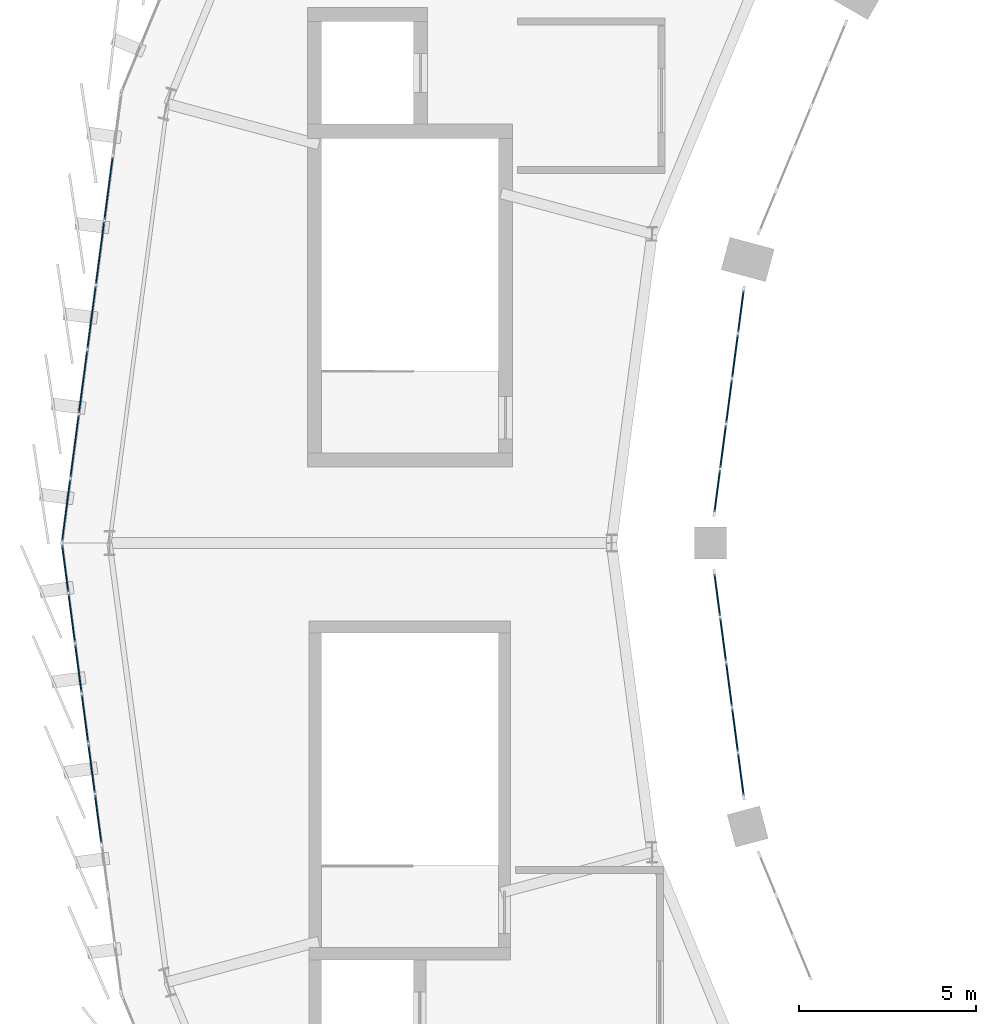
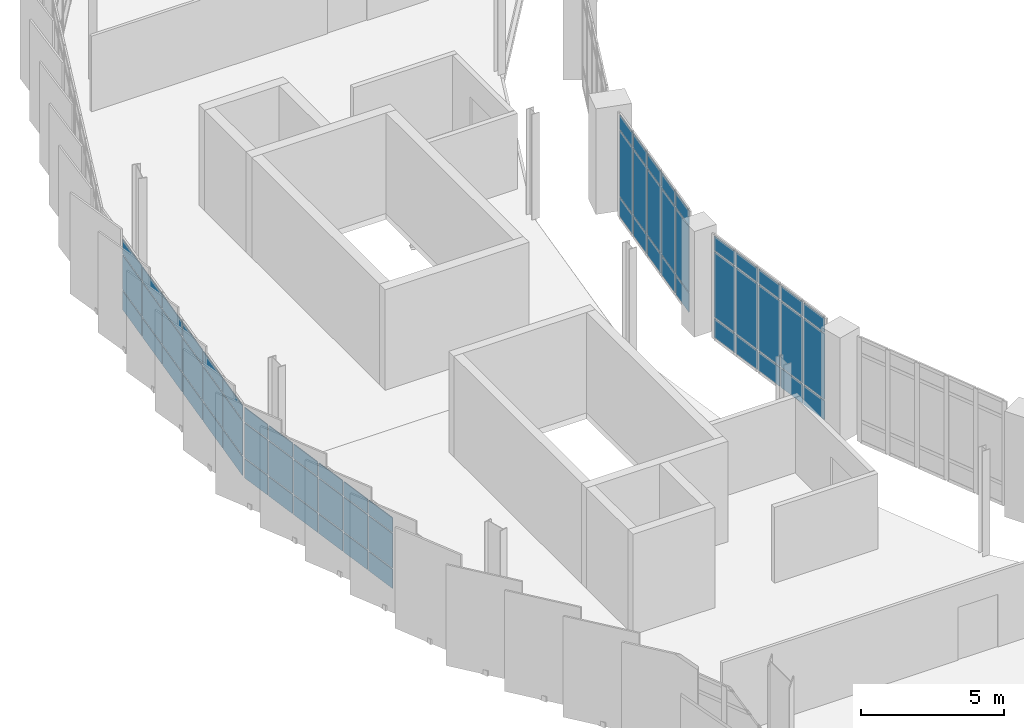
# One storey, part 52 of 67: 66 plates, 4 elements without a shape of their own.
"""IFC4 building model written with IfcOpenShell, lengths in metres."""

import ifcopenshell
import ifcopenshell.guid

model = None  # the IFC model being written
_history = None  # IfcOwnerHistory: only IFC2X3 demands one
_inside = {}  # id of a spatial element -> (the spatial element, [elements in it])
_under = {}  # id of a project, library or spatial element -> (it, [spatial elements below it])
_declared = {}  # id of a project -> (the project, [libraries it declares])
_typed = {}  # id of a type object -> (the type object, [elements of that type])
_made_of = {}  # id of a material, layer set ... -> (it, [elements and type objects made of it])


def new_model(schema):
    """Start an empty IFC model of exactly this schema.

    Asked for "IFC4X3", IfcOpenShell would pick the latest addendum, in which some entities
    have other attributes; the version numbers below select the first issue.
    IFC2X3 requires an IfcOwnerHistory on every rooted entity: one is made here for all.
    """
    global model, _history
    if schema == "IFC4X3":
        model = ifcopenshell.file(schema_version=(4, 3, 0, 0))
    else:
        model = ifcopenshell.file(schema=schema)
    _inside.clear()
    _under.clear()
    _declared.clear()
    _typed.clear()
    _made_of.clear()
    _history = None
    if model.schema == "IFC2X3":
        org = make("IfcOrganization", Name="unknown")
        user = make(
            "IfcPersonAndOrganization",
            ThePerson=make("IfcPerson", FamilyName="unknown"),
            TheOrganization=org,
        )
        app = make(
            "IfcApplication",
            ApplicationDeveloper=org,
            Version="unknown",
            ApplicationFullName="unknown",
            ApplicationIdentifier="unknown",
        )
        _history = make(
            "IfcOwnerHistory",
            OwningUser=user,
            OwningApplication=app,
            ChangeAction="ADDED",
            CreationDate=0,
        )
    return model


def make(cls, **values):
    """One entity of the class cls with the attributes given. An attribute that is None is left unset."""
    return model.create_entity(
        cls, **{name: value for name, value in values.items() if value is not None}
    )


def rooted(cls, **values):
    """An entity with a GlobalId (a new one), such as an element, a storey or a relation."""
    return make(cls, GlobalId=ifcopenshell.guid.new(), OwnerHistory=_history, **values)


def si_unit(unit_type, name, prefix=None):
    """IfcSIUnit, for example si_unit("LENGTHUNIT", "METRE", prefix="MILLI")."""
    return make("IfcSIUnit", UnitType=unit_type, Prefix=prefix, Name=name)


def assignment(units):
    """IfcUnitAssignment: the units of a project."""
    return None if units is None else make("IfcUnitAssignment", Units=units)


def point(xyz):
    """IfcCartesianPoint."""
    return None if xyz is None else make("IfcCartesianPoint", Coordinates=xyz)


def direction(xyz):
    """IfcDirection."""
    return None if xyz is None else make("IfcDirection", DirectionRatios=xyz)


def frame(location, z_axis=None, x_axis=None):
    """IfcAxis2Placement3D, a coordinate frame: its origin and axes. An axis left out is left unset."""
    return make(
        "IfcAxis2Placement3D",
        Location=point(location),
        Axis=direction(z_axis),
        RefDirection=direction(x_axis),
    )


def frame_2d(location, x_axis=None):
    """IfcAxis2Placement2D, a coordinate frame in the plane: its origin and x axis."""
    return make(
        "IfcAxis2Placement2D", Location=point(location), RefDirection=direction(x_axis)
    )


def origin():
    """The frame at (0, 0, 0) with its axes left unset."""
    return frame((0.0, 0.0, 0.0))


def origin_2d():
    """The frame at (0, 0) in the plane with its x axis left unset."""
    return frame_2d((0.0, 0.0))


def place(relative_to, where):
    """IfcLocalPlacement: puts the frame where relative to a parent placement (None: the world)."""
    return make(
        "IfcLocalPlacement", PlacementRelTo=relative_to, RelativePlacement=where
    )


def context(
    kind, dimensions, precision=None, world=None, true_north=None, identifier=None
):
    """IfcGeometricRepresentationContext, for example the 3D "Model" context."""
    return make(
        "IfcGeometricRepresentationContext",
        ContextIdentifier=identifier,
        ContextType=kind,
        CoordinateSpaceDimension=dimensions,
        Precision=precision,
        WorldCoordinateSystem=world,
        TrueNorth=true_north,
    )


def subcontext(parent, identifier, kind, view, scale=None):
    """IfcGeometricRepresentationSubContext, for example "Body" below "Model"."""
    return make(
        "IfcGeometricRepresentationSubContext",
        ContextIdentifier=identifier,
        ContextType=kind,
        ParentContext=parent,
        TargetScale=scale,
        TargetView=view,
    )


def project(units=None, contexts=None):
    """IfcProject with its units and contexts."""
    return rooted(
        "IfcProject",
        Name="project",
        RepresentationContexts=contexts,
        UnitsInContext=assignment(units),
    )


def spatial(cls, under=None, at=None, **own):
    """A site, building, storey or space (cls), placed at a placement, below another one or the project."""
    s = rooted(cls, ObjectPlacement=at, **own)
    if under is not None:
        _under.setdefault(under.id(), (under, []))[1].append(s)
    return s


def profile(cls, at=None, kind="AREA", **sizes):
    """A parametric profile (cls). Its sizes go by their IFC names, for example OverallWidth=200.0."""
    return make(cls, ProfileType=kind, Position=at, **sizes)


def rectangle(**sizes):
    """IfcRectangleProfileDef."""
    return profile("IfcRectangleProfileDef", **sizes)


def extrude(swept, where, along, depth):
    """IfcExtrudedAreaSolid: the profile swept, set in the frame where, extruded along a direction by depth."""
    return make(
        "IfcExtrudedAreaSolid",
        SweptArea=swept,
        Position=where,
        ExtrudedDirection=direction(along),
        Depth=depth,
    )


def shape(context_of_items, identifier, shape_type, items):
    """IfcShapeRepresentation: the items that make up one representation, for example the "Body"."""
    return make(
        "IfcShapeRepresentation",
        ContextOfItems=context_of_items,
        RepresentationIdentifier=identifier,
        RepresentationType=shape_type,
        Items=items,
    )


def material(Name=None, Category=None):
    """IfcMaterial."""
    return make("IfcMaterial", Name=Name, Category=Category)


def layer(
    of_material, thickness, ventilated=None, Name=None, Category=None, Priority=None
):
    """IfcMaterialLayer: one layer of a wall or slab, of a material (None: an air gap)."""
    return make(
        "IfcMaterialLayer",
        Material=of_material,
        LayerThickness=thickness,
        IsVentilated=ventilated,
        Name=Name,
        Category=Category,
        Priority=Priority,
    )


def layer_set(layers, Name=None):
    """IfcMaterialLayerSet."""
    return make("IfcMaterialLayerSet", MaterialLayers=layers, LayerSetName=Name)


def made_of(thing, what):
    """Note that an element or type object is made of a material, layer set ...; save() writes the relation."""
    if what is not None:
        _made_of.setdefault(what.id(), (what, []))[1].append(thing)
    return thing


def type_object(cls, material=None, **own):
    """A type object (cls), such as IfcWallType, which elements share."""
    return made_of(rooted(cls, **own), material)


def element(
    cls,
    number,
    at=None,
    inside=None,
    cuts=None,
    type_object=None,
    material=None,
    context=None,
    identifier="Body",
    shape_type=None,
    held_by="IfcProductDefinitionShape",
    body=None,
    shapes=None,
    **own,
):
    """One element of the class cls, such as IfcWall. Its Tag is "e" and its number.

    at: its placement. inside: the storey or other place that contains it. cuts: it is an
    opening in that element (IfcRelVoidsElement). A single representation is given by context,
    identifier, shape_type and body (its items); several are given by shapes. held_by: the class
    of the entity that holds the representations. save() writes the other relations.
    """
    e = rooted(cls, Tag="e%d" % number, ObjectPlacement=at, **own)
    if body is not None:
        shapes = [shape(context, identifier, shape_type, body)]
    if shapes is not None:
        e.Representation = make(held_by, Representations=shapes)
    if inside is not None:
        _inside.setdefault(inside.id(), (inside, []))[1].append(e)
    if cuts is not None:
        rooted(
            "IfcRelVoidsElement", RelatingBuildingElement=cuts, RelatedOpeningElement=e
        )
    if type_object is not None:
        _typed.setdefault(type_object.id(), (type_object, []))[1].append(e)
    return made_of(e, material)


def aggregate(whole, parts):
    """IfcRelAggregates: a whole, such as a stair, and the parts it consists of."""
    return rooted("IfcRelAggregates", RelatingObject=whole, RelatedObjects=parts)


def save(model, path):
    """Write the relations noted so far, then the file.

    IfcRelAggregates (storeys below a building ...), IfcRelContainedInSpatialStructure (elements
    in a storey), IfcRelDefinesByType, IfcRelAssociatesMaterial and IfcRelDeclares: one each for
    every whole, place, type object, material and project.
    """
    for whole, parts in _under.values():
        aggregate(whole, parts)
    for where, things in _inside.values():
        rooted(
            "IfcRelContainedInSpatialStructure",
            RelatedElements=things,
            RelatingStructure=where,
        )
    for kind, things in _typed.values():
        rooted("IfcRelDefinesByType", RelatedObjects=things, RelatingType=kind)
    for what, things in _made_of.values():
        rooted("IfcRelAssociatesMaterial", RelatedObjects=things, RelatingMaterial=what)
    for by, libraries in _declared.values():
        rooted("IfcRelDeclares", RelatingContext=by, RelatedDefinitions=libraries)
    model.write(path)


model = new_model("IFC4")

# Units and contexts
model_context = context("Model", 3, precision=1e-05, world=origin(), true_north=direction((0.0, 1.0)))
body_context = subcontext(model_context, "Body", "Model", "MODEL_VIEW")
ifc_project = project(units=[si_unit("LENGTHUNIT", "METRE"), si_unit("AREAUNIT", "SQUARE_METRE"), si_unit("VOLUMEUNIT", "CUBIC_METRE"), si_unit("PLANEANGLEUNIT", "RADIAN"), si_unit("MASSUNIT", "GRAM", prefix="KILO")], contexts=[model_context])

# Site, building, storey
site_placement = place(None, origin())
site = spatial("IfcSite", under=ifc_project, at=site_placement, CompositionType="ELEMENT")
building_placement = place(site_placement, origin())
building = spatial("IfcBuilding", under=site, at=building_placement, Name="Sohan Crest Arena", CompositionType="ELEMENT")
storey_placement = place(building_placement, frame((0.0, 0.0, 22.5)))
storey = spatial("IfcBuildingStorey", under=building, at=storey_placement, Name="L05", CompositionType="ELEMENT", Elevation=22.5)

# Curtain wall, plates
ifc_material_1 = material(Name="Thermally broken anodised aluminium", Category="aluminium")
ifc_layer_1 = layer(ifc_material_1, 0.2099609375, Name="Thermally broken anodised aluminium")
ifc_layer_set_1 = layer_set([ifc_layer_1], Name="Thermally broken anodised aluminium")
curtain_wall_type_1 = type_object("IfcCurtainWallType", Name="ARC-CW06", PredefinedType="NOTDEFINED", material=ifc_layer_set_1)
curtain_wall_1_placement = place(storey_placement, origin())
curtain_wall_1 = element("IfcCurtainWall", 1, at=curtain_wall_1_placement, inside=storey, type_object=curtain_wall_type_1, Name="Unitised curtain wall CW-151", PredefinedType="NOTDEFINED")
ifc_material_2 = material(Name="Low-E double-glazed insulated glass", Category="glass")
ifc_layer_2 = layer(ifc_material_2, 0.031982421875, Name="Low-E double-glazed insulated glass")
ifc_layer_set_2 = layer_set([ifc_layer_2], Name="Low-E double-glazed insulated glass")
plate_type_1 = type_object("IfcPlateType", Name="ARC-CNP02", PredefinedType="CURTAIN_PANEL", material=ifc_layer_set_2)
plate_1_placement = place(storey_placement, frame((49.9716796875, 88.035888671875, 0.070068359375), z_axis=(0.0, 0.0, 1.0), x_axis=(-0.130556913275, -0.991440816386, 0.0)))
plate_1 = element("IfcPlate", 2, at=plate_1_placement, type_object=plate_type_1, Name="CW-151 panel 2.1", PredefinedType="CURTAIN_PANEL", context=body_context, shape_type="SweptSolid", body=[
    extrude(rectangle(XDim=1.775390625, YDim=0.031982421875, at=origin_2d()), origin(), (0.0, 0.0, 1.0), 0.794921875),
])
plate_2_placement = place(storey_placement, frame((49.9716796875, 88.035888671875, 0.93505859375), z_axis=(0.0, 0.0, 1.0), x_axis=(-0.130556913275, -0.991440816386, 0.0)))
plate_2 = element("IfcPlate", 3, at=plate_2_placement, type_object=plate_type_1, Name="CW-151 panel 2.2", PredefinedType="CURTAIN_PANEL", context=body_context, shape_type="SweptSolid", body=[
    extrude(rectangle(XDim=1.775390625, YDim=0.031982421875, at=origin_2d()), origin(), (0.0, 0.0, 1.0), 1.449951171875),
])
plate_3_placement = place(storey_placement, frame((49.9716796875, 88.035888671875, 2.455078125), z_axis=(0.0, 0.0, 1.0), x_axis=(-0.130556913275, -0.991440816386, 0.0)))
plate_3 = element("IfcPlate", 4, at=plate_3_placement, type_object=plate_type_1, Name="CW-151 panel 2.3", PredefinedType="CURTAIN_PANEL", context=body_context, shape_type="SweptSolid", body=[
    extrude(rectangle(XDim=1.775390625, YDim=0.031982421875, at=origin_2d()), origin(), (0.0, 0.0, 1.0), 0.594970703125),
])
plate_4_placement = place(storey_placement, frame((49.731201171875, 86.211181640625, 0.070068359375), z_axis=(0.0, 0.0, 1.0), x_axis=(-0.130556913275, -0.991440816386, 0.0)))
plate_4 = element("IfcPlate", 5, at=plate_4_placement, type_object=plate_type_1, Name="CW-151 panel 3.1", PredefinedType="CURTAIN_PANEL", context=body_context, shape_type="SweptSolid", body=[
    extrude(rectangle(XDim=1.775390625, YDim=0.031982421875, at=origin_2d()), origin(), (0.0, 0.0, 1.0), 0.794921875),
])
plate_5_placement = place(storey_placement, frame((49.731201171875, 86.211181640625, 0.93505859375), z_axis=(0.0, 0.0, 1.0), x_axis=(-0.130556913275, -0.991440816386, 0.0)))
plate_5 = element("IfcPlate", 6, at=plate_5_placement, type_object=plate_type_1, Name="CW-151 panel 3.2", PredefinedType="CURTAIN_PANEL", context=body_context, shape_type="SweptSolid", body=[
    extrude(rectangle(XDim=1.775390625, YDim=0.031982421875, at=origin_2d()), origin(), (0.0, 0.0, 1.0), 1.449951171875),
])
plate_6_placement = place(storey_placement, frame((49.731201171875, 86.211181640625, 2.455078125), z_axis=(0.0, 0.0, 1.0), x_axis=(-0.130556913275, -0.991440816386, 0.0)))
plate_6 = element("IfcPlate", 7, at=plate_6_placement, type_object=plate_type_1, Name="CW-151 panel 3.3", PredefinedType="CURTAIN_PANEL", context=body_context, shape_type="SweptSolid", body=[
    extrude(rectangle(XDim=1.775390625, YDim=0.031982421875, at=origin_2d()), origin(), (0.0, 0.0, 1.0), 0.594970703125),
])
plate_7_placement = place(storey_placement, frame((49.490966796875, 84.386474609375, 0.070068359375), z_axis=(0.0, 0.0, 1.0), x_axis=(-0.130556913275, -0.991440816386, 0.0)))
plate_7 = element("IfcPlate", 8, at=plate_7_placement, type_object=plate_type_1, Name="CW-151 panel 4.1", PredefinedType="CURTAIN_PANEL", context=body_context, shape_type="SweptSolid", body=[
    extrude(rectangle(XDim=1.775390625, YDim=0.031982421875, at=origin_2d()), origin(), (0.0, 0.0, 1.0), 0.794921875),
])
plate_8_placement = place(storey_placement, frame((49.490966796875, 84.386474609375, 0.93505859375), z_axis=(0.0, 0.0, 1.0), x_axis=(-0.130556913275, -0.991440816386, 0.0)))
plate_8 = element("IfcPlate", 9, at=plate_8_placement, type_object=plate_type_1, Name="CW-151 panel 4.2", PredefinedType="CURTAIN_PANEL", context=body_context, shape_type="SweptSolid", body=[
    extrude(rectangle(XDim=1.775390625, YDim=0.031982421875, at=origin_2d()), origin(), (0.0, 0.0, 1.0), 1.449951171875),
])
plate_9_placement = place(storey_placement, frame((49.490966796875, 84.386474609375, 2.455078125), z_axis=(0.0, 0.0, 1.0), x_axis=(-0.130556913275, -0.991440816386, 0.0)))
plate_9 = element("IfcPlate", 10, at=plate_9_placement, type_object=plate_type_1, Name="CW-151 panel 4.3", PredefinedType="CURTAIN_PANEL", context=body_context, shape_type="SweptSolid", body=[
    extrude(rectangle(XDim=1.775390625, YDim=0.031982421875, at=origin_2d()), origin(), (0.0, 0.0, 1.0), 0.594970703125),
])
plate_10_placement = place(storey_placement, frame((49.250732421875, 82.561767578125, 0.070068359375), z_axis=(0.0, 0.0, 1.0), x_axis=(-0.130556913275, -0.991440816386, 0.0)))
plate_10 = element("IfcPlate", 11, at=plate_10_placement, type_object=plate_type_1, Name="CW-151 panel 5.1", PredefinedType="CURTAIN_PANEL", context=body_context, shape_type="SweptSolid", body=[
    extrude(rectangle(XDim=1.775390625, YDim=0.031982421875, at=origin_2d()), origin(), (0.0, 0.0, 1.0), 0.794921875),
])
plate_11_placement = place(storey_placement, frame((49.250732421875, 82.561767578125, 0.93505859375), z_axis=(0.0, 0.0, 1.0), x_axis=(-0.130556913275, -0.991440816386, 0.0)))
plate_11 = element("IfcPlate", 12, at=plate_11_placement, type_object=plate_type_1, Name="CW-151 panel 5.2", PredefinedType="CURTAIN_PANEL", context=body_context, shape_type="SweptSolid", body=[
    extrude(rectangle(XDim=1.775390625, YDim=0.031982421875, at=origin_2d()), origin(), (0.0, 0.0, 1.0), 1.449951171875),
])
plate_12_placement = place(storey_placement, frame((49.250732421875, 82.561767578125, 2.455078125), z_axis=(0.0, 0.0, 1.0), x_axis=(-0.130556913275, -0.991440816386, 0.0)))
plate_12 = element("IfcPlate", 13, at=plate_12_placement, type_object=plate_type_1, Name="CW-151 panel 5.3", PredefinedType="CURTAIN_PANEL", context=body_context, shape_type="SweptSolid", body=[
    extrude(rectangle(XDim=1.775390625, YDim=0.031982421875, at=origin_2d()), origin(), (0.0, 0.0, 1.0), 0.594970703125),
])
plate_13_placement = place(storey_placement, frame((49.010498046875, 80.737060546875, 0.070068359375), z_axis=(0.0, 0.0, 1.0), x_axis=(-0.130556913275, -0.991440816386, 0.0)))
plate_13 = element("IfcPlate", 14, at=plate_13_placement, type_object=plate_type_1, Name="CW-151 panel 6.1", PredefinedType="CURTAIN_PANEL", context=body_context, shape_type="SweptSolid", body=[
    extrude(rectangle(XDim=1.775390625, YDim=0.031982421875, at=origin_2d()), origin(), (0.0, 0.0, 1.0), 0.794921875),
])
plate_14_placement = place(storey_placement, frame((49.010498046875, 80.737060546875, 0.93505859375), z_axis=(0.0, 0.0, 1.0), x_axis=(-0.130556913275, -0.991440816386, 0.0)))
plate_14 = element("IfcPlate", 15, at=plate_14_placement, type_object=plate_type_1, Name="CW-151 panel 6.2", PredefinedType="CURTAIN_PANEL", context=body_context, shape_type="SweptSolid", body=[
    extrude(rectangle(XDim=1.775390625, YDim=0.031982421875, at=origin_2d()), origin(), (0.0, 0.0, 1.0), 1.449951171875),
])
plate_15_placement = place(storey_placement, frame((49.010498046875, 80.737060546875, 2.455078125), z_axis=(0.0, 0.0, 1.0), x_axis=(-0.130556913275, -0.991440816386, 0.0)))
plate_15 = element("IfcPlate", 16, at=plate_15_placement, type_object=plate_type_1, Name="CW-151 panel 6.3", PredefinedType="CURTAIN_PANEL", context=body_context, shape_type="SweptSolid", body=[
    extrude(rectangle(XDim=1.775390625, YDim=0.031982421875, at=origin_2d()), origin(), (0.0, 0.0, 1.0), 0.594970703125),
])
plate_16_placement = place(storey_placement, frame((48.772216796875, 78.928466796875, 0.070068359375), z_axis=(0.0, 0.0, 1.0), x_axis=(-0.130556913275, -0.991440816386, 0.0)))
plate_16 = element("IfcPlate", 17, at=plate_16_placement, type_object=plate_type_1, Name="CW-151 panel 7.1", PredefinedType="CURTAIN_PANEL", context=body_context, shape_type="SweptSolid", body=[
    extrude(rectangle(XDim=1.742919921875, YDim=0.031982421875, at=origin_2d()), origin(), (0.0, 0.0, 1.0), 0.794921875),
])
plate_17_placement = place(storey_placement, frame((48.772216796875, 78.928466796875, 0.93505859375), z_axis=(0.0, 0.0, 1.0), x_axis=(-0.130556913275, -0.991440816386, 0.0)))
plate_17 = element("IfcPlate", 18, at=plate_17_placement, type_object=plate_type_1, Name="CW-151 panel 7.2", PredefinedType="CURTAIN_PANEL", context=body_context, shape_type="SweptSolid", body=[
    extrude(rectangle(XDim=1.742919921875, YDim=0.031982421875, at=origin_2d()), origin(), (0.0, 0.0, 1.0), 1.449951171875),
])
plate_18_placement = place(storey_placement, frame((48.772216796875, 78.928466796875, 2.455078125), z_axis=(0.0, 0.0, 1.0), x_axis=(-0.130556913275, -0.991440816386, 0.0)))
plate_18 = element("IfcPlate", 19, at=plate_18_placement, type_object=plate_type_1, Name="CW-151 panel 7.3", PredefinedType="CURTAIN_PANEL", context=body_context, shape_type="SweptSolid", body=[
    extrude(rectangle(XDim=1.742919921875, YDim=0.031982421875, at=origin_2d()), origin(), (0.0, 0.0, 1.0), 0.594970703125),
])
aggregate(curtain_wall_1, [plate_1, plate_2, plate_3, plate_4, plate_5, plate_6, plate_7, plate_8, plate_9, plate_10, plate_11, plate_12, plate_13, plate_14, plate_15, plate_16, plate_17, plate_18])

ifc_layer_3 = layer(ifc_material_1, 0.179931640625, Name="Thermally broken anodised aluminium")
ifc_layer_set_3 = layer_set([ifc_layer_3], Name="Thermally broken anodised aluminium")
curtain_wall_type_2 = type_object("IfcCurtainWallType", Name="ARC-CW01", PredefinedType="NOTDEFINED", material=ifc_layer_set_3)
curtain_wall_2_placement = place(storey_placement, origin())
curtain_wall_2 = element("IfcCurtainWall", 20, at=curtain_wall_2_placement, inside=storey, type_object=curtain_wall_type_2, Name="Unitised curtain wall CW-152", PredefinedType="NOTDEFINED")
ifc_material_3 = material(Name="Ceramic-fritted solar-control insulated glass", Category="glass")
ifc_layer_4 = layer(ifc_material_3, 0.035888671875, Name="Ceramic-fritted solar-control insulated glass")
ifc_layer_set_4 = layer_set([ifc_layer_4], Name="Ceramic-fritted solar-control insulated glass")
plate_type_2 = type_object("IfcPlateType", Name="ARC-CNP03", PredefinedType="CURTAIN_PANEL", material=ifc_layer_set_4)
plate_19_placement = place(storey_placement, frame((48.745849609375, 77.27294921875, 0.06005859375), z_axis=(0.0, 0.0, 1.0), x_axis=(0.130556913275, -0.991440816386, 0.0)))
plate_19 = element("IfcPlate", 21, at=plate_19_placement, type_object=plate_type_2, Name="CW-152 panel 1.1", PredefinedType="CURTAIN_PANEL", context=body_context, shape_type="SweptSolid", body=[
    extrude(rectangle(XDim=1.326416015625, YDim=0.035888671875, at=origin_2d()), origin(), (0.0, 0.0, 1.0), 0.81005859375),
])
plate_20_placement = place(storey_placement, frame((48.745849609375, 77.27294921875, 0.929931640625), z_axis=(0.0, 0.0, 1.0), x_axis=(0.130556913275, -0.991440816386, 0.0)))
plate_20 = element("IfcPlate", 22, at=plate_20_placement, type_object=plate_type_2, Name="CW-152 panel 1.2", PredefinedType="CURTAIN_PANEL", context=body_context, shape_type="SweptSolid", body=[
    extrude(rectangle(XDim=1.326416015625, YDim=0.035888671875, at=origin_2d()), origin(), (0.0, 0.0, 1.0), 1.4599609375),
])
plate_21_placement = place(storey_placement, frame((48.745849609375, 77.27294921875, 2.44970703125), z_axis=(0.0, 0.0, 1.0), x_axis=(0.130556913275, -0.991440816386, 0.0)))
plate_21 = element("IfcPlate", 23, at=plate_21_placement, type_object=plate_type_2, Name="CW-152 panel 1.3", PredefinedType="CURTAIN_PANEL", context=body_context, shape_type="SweptSolid", body=[
    extrude(rectangle(XDim=1.326416015625, YDim=0.035888671875, at=origin_2d()), origin(), (0.0, 0.0, 1.0), 0.610107421875),
])
plate_22_placement = place(storey_placement, frame((48.930419921875, 75.87109375, 0.06005859375), z_axis=(0.0, 0.0, 1.0), x_axis=(0.130556913275, -0.991440816386, 0.0)))
plate_22 = element("IfcPlate", 24, at=plate_22_placement, type_object=plate_type_2, Name="CW-152 panel 2.1", PredefinedType="CURTAIN_PANEL", context=body_context, shape_type="SweptSolid", body=[
    extrude(rectangle(XDim=1.361572265625, YDim=0.035888671875, at=origin_2d()), origin(), (0.0, 0.0, 1.0), 0.81005859375),
])
plate_23_placement = place(storey_placement, frame((48.930419921875, 75.87109375, 0.929931640625), z_axis=(0.0, 0.0, 1.0), x_axis=(0.130556913275, -0.991440816386, 0.0)))
plate_23 = element("IfcPlate", 25, at=plate_23_placement, type_object=plate_type_2, Name="CW-152 panel 2.2", PredefinedType="CURTAIN_PANEL", context=body_context, shape_type="SweptSolid", body=[
    extrude(rectangle(XDim=1.361572265625, YDim=0.035888671875, at=origin_2d()), origin(), (0.0, 0.0, 1.0), 1.4599609375),
])
plate_24_placement = place(storey_placement, frame((48.930419921875, 75.87109375, 2.44970703125), z_axis=(0.0, 0.0, 1.0), x_axis=(0.130556913275, -0.991440816386, 0.0)))
plate_24 = element("IfcPlate", 26, at=plate_24_placement, type_object=plate_type_2, Name="CW-152 panel 2.3", PredefinedType="CURTAIN_PANEL", context=body_context, shape_type="SweptSolid", body=[
    extrude(rectangle(XDim=1.361572265625, YDim=0.035888671875, at=origin_2d()), origin(), (0.0, 0.0, 1.0), 0.610107421875),
])
plate_25_placement = place(storey_placement, frame((49.1171875, 74.451904296875, 0.06005859375), z_axis=(0.0, 0.0, 1.0), x_axis=(0.130556913275, -0.991440816386, 0.0)))
plate_25 = element("IfcPlate", 27, at=plate_25_placement, type_object=plate_type_2, Name="CW-152 panel 3.1", PredefinedType="CURTAIN_PANEL", context=body_context, shape_type="SweptSolid", body=[
    extrude(rectangle(XDim=1.361572265625, YDim=0.035888671875, at=origin_2d()), origin(), (0.0, 0.0, 1.0), 0.81005859375),
])
plate_26_placement = place(storey_placement, frame((49.1171875, 74.451904296875, 0.929931640625), z_axis=(0.0, 0.0, 1.0), x_axis=(0.130556913275, -0.991440816386, 0.0)))
plate_26 = element("IfcPlate", 28, at=plate_26_placement, type_object=plate_type_2, Name="CW-152 panel 3.2", PredefinedType="CURTAIN_PANEL", context=body_context, shape_type="SweptSolid", body=[
    extrude(rectangle(XDim=1.361572265625, YDim=0.035888671875, at=origin_2d()), origin(), (0.0, 0.0, 1.0), 1.4599609375),
])
plate_27_placement = place(storey_placement, frame((49.1171875, 74.451904296875, 2.44970703125), z_axis=(0.0, 0.0, 1.0), x_axis=(0.130556913275, -0.991440816386, 0.0)))
plate_27 = element("IfcPlate", 29, at=plate_27_placement, type_object=plate_type_2, Name="CW-152 panel 3.3", PredefinedType="CURTAIN_PANEL", context=body_context, shape_type="SweptSolid", body=[
    extrude(rectangle(XDim=1.361572265625, YDim=0.035888671875, at=origin_2d()), origin(), (0.0, 0.0, 1.0), 0.610107421875),
])
plate_28_placement = place(storey_placement, frame((49.30419921875, 73.03271484375, 0.06005859375), z_axis=(0.0, 0.0, 1.0), x_axis=(0.130556913275, -0.991440816386, 0.0)))
plate_28 = element("IfcPlate", 30, at=plate_28_placement, type_object=plate_type_2, Name="CW-152 panel 4.1", PredefinedType="CURTAIN_PANEL", context=body_context, shape_type="SweptSolid", body=[
    extrude(rectangle(XDim=1.361572265625, YDim=0.035888671875, at=origin_2d()), origin(), (0.0, 0.0, 1.0), 0.81005859375),
])
plate_29_placement = place(storey_placement, frame((49.30419921875, 73.03271484375, 0.929931640625), z_axis=(0.0, 0.0, 1.0), x_axis=(0.130556913275, -0.991440816386, 0.0)))
plate_29 = element("IfcPlate", 31, at=plate_29_placement, type_object=plate_type_2, Name="CW-152 panel 4.2", PredefinedType="CURTAIN_PANEL", context=body_context, shape_type="SweptSolid", body=[
    extrude(rectangle(XDim=1.361572265625, YDim=0.035888671875, at=origin_2d()), origin(), (0.0, 0.0, 1.0), 1.4599609375),
])
plate_30_placement = place(storey_placement, frame((49.30419921875, 73.03271484375, 2.44970703125), z_axis=(0.0, 0.0, 1.0), x_axis=(0.130556913275, -0.991440816386, 0.0)))
plate_30 = element("IfcPlate", 32, at=plate_30_placement, type_object=plate_type_2, Name="CW-152 panel 4.3", PredefinedType="CURTAIN_PANEL", context=body_context, shape_type="SweptSolid", body=[
    extrude(rectangle(XDim=1.361572265625, YDim=0.035888671875, at=origin_2d()), origin(), (0.0, 0.0, 1.0), 0.610107421875),
])
plate_31_placement = place(storey_placement, frame((49.490966796875, 71.613525390625, 0.06005859375), z_axis=(0.0, 0.0, 1.0), x_axis=(0.130556913275, -0.991440816386, 0.0)))
plate_31 = element("IfcPlate", 33, at=plate_31_placement, type_object=plate_type_2, Name="CW-152 panel 5.1", PredefinedType="CURTAIN_PANEL", context=body_context, shape_type="SweptSolid", body=[
    extrude(rectangle(XDim=1.361572265625, YDim=0.035888671875, at=origin_2d()), origin(), (0.0, 0.0, 1.0), 0.81005859375),
])
plate_32_placement = place(storey_placement, frame((49.490966796875, 71.613525390625, 0.929931640625), z_axis=(0.0, 0.0, 1.0), x_axis=(0.130556913275, -0.991440816386, 0.0)))
plate_32 = element("IfcPlate", 34, at=plate_32_placement, type_object=plate_type_2, Name="CW-152 panel 5.2", PredefinedType="CURTAIN_PANEL", context=body_context, shape_type="SweptSolid", body=[
    extrude(rectangle(XDim=1.361572265625, YDim=0.035888671875, at=origin_2d()), origin(), (0.0, 0.0, 1.0), 1.4599609375),
])
plate_33_placement = place(storey_placement, frame((49.490966796875, 71.613525390625, 2.44970703125), z_axis=(0.0, 0.0, 1.0), x_axis=(0.130556913275, -0.991440816386, 0.0)))
plate_33 = element("IfcPlate", 35, at=plate_33_placement, type_object=plate_type_2, Name="CW-152 panel 5.3", PredefinedType="CURTAIN_PANEL", context=body_context, shape_type="SweptSolid", body=[
    extrude(rectangle(XDim=1.361572265625, YDim=0.035888671875, at=origin_2d()), origin(), (0.0, 0.0, 1.0), 0.610107421875),
])
plate_34_placement = place(storey_placement, frame((49.677978515625, 70.1943359375, 0.06005859375), z_axis=(0.0, 0.0, 1.0), x_axis=(0.130556913275, -0.991440816386, 0.0)))
plate_34 = element("IfcPlate", 36, at=plate_34_placement, type_object=plate_type_2, Name="CW-152 panel 6.1", PredefinedType="CURTAIN_PANEL", context=body_context, shape_type="SweptSolid", body=[
    extrude(rectangle(XDim=1.361572265625, YDim=0.035888671875, at=origin_2d()), origin(), (0.0, 0.0, 1.0), 0.81005859375),
])
plate_35_placement = place(storey_placement, frame((49.677978515625, 70.1943359375, 0.929931640625), z_axis=(0.0, 0.0, 1.0), x_axis=(0.130556913275, -0.991440816386, 0.0)))
plate_35 = element("IfcPlate", 37, at=plate_35_placement, type_object=plate_type_2, Name="CW-152 panel 6.2", PredefinedType="CURTAIN_PANEL", context=body_context, shape_type="SweptSolid", body=[
    extrude(rectangle(XDim=1.361572265625, YDim=0.035888671875, at=origin_2d()), origin(), (0.0, 0.0, 1.0), 1.4599609375),
])
plate_36_placement = place(storey_placement, frame((49.677978515625, 70.1943359375, 2.44970703125), z_axis=(0.0, 0.0, 1.0), x_axis=(0.130556913275, -0.991440816386, 0.0)))
plate_36 = element("IfcPlate", 38, at=plate_36_placement, type_object=plate_type_2, Name="CW-152 panel 6.3", PredefinedType="CURTAIN_PANEL", context=body_context, shape_type="SweptSolid", body=[
    extrude(rectangle(XDim=1.361572265625, YDim=0.035888671875, at=origin_2d()), origin(), (0.0, 0.0, 1.0), 0.610107421875),
])
aggregate(curtain_wall_2, [plate_19, plate_20, plate_21, plate_22, plate_23, plate_24, plate_25, plate_26, plate_27, plate_28, plate_29, plate_30, plate_31, plate_32, plate_33, plate_34, plate_35, plate_36])

ifc_layer_5 = layer(ifc_material_1, 0.18994140625, Name="Thermally broken anodised aluminium")
ifc_layer_set_5 = layer_set([ifc_layer_5], Name="Thermally broken anodised aluminium")
curtain_wall_type_3 = type_object("IfcCurtainWallType", Name="ARC-CW05", PredefinedType="NOTDEFINED", material=ifc_layer_set_5)
curtain_wall_3_placement = place(storey_placement, origin())
curtain_wall_3 = element("IfcCurtainWall", 39, at=curtain_wall_3_placement, inside=storey, type_object=curtain_wall_type_3, Name="Unitised curtain wall CW-174", PredefinedType="NOTDEFINED")
plate_37_placement = place(storey_placement, frame((67.862548828125, 84.552978515625, 0.06494140625), z_axis=(0.0, 0.0, 1.0), x_axis=(-0.130498613419, -0.991448491802, 0.0)))
plate_37 = element("IfcPlate", 40, at=plate_37_placement, type_object=plate_type_2, Name="CW-174 panel 1.1", PredefinedType="CURTAIN_PANEL", context=body_context, shape_type="SweptSolid", body=[
    extrude(rectangle(XDim=1.185546875, YDim=0.035888671875, at=origin_2d()), origin(), (0.0, 0.0, 1.0), 0.802490234375),
])
plate_38_placement = place(storey_placement, frame((67.862548828125, 84.552978515625, 0.9326171875), z_axis=(0.0, 0.0, 1.0), x_axis=(-0.130498613419, -0.991448491802, 0.0)))
plate_38 = element("IfcPlate", 41, at=plate_38_placement, type_object=plate_type_2, Name="CW-174 panel 1.2", PredefinedType="CURTAIN_PANEL", context=body_context, shape_type="SweptSolid", body=[
    extrude(rectangle(XDim=1.185546875, YDim=0.035888671875, at=origin_2d()), origin(), (0.0, 0.0, 1.0), 2.784912109375),
])
plate_39_placement = place(storey_placement, frame((67.862548828125, 84.552978515625, 3.782470703125), z_axis=(0.0, 0.0, 1.0), x_axis=(-0.130498613419, -0.991448491802, 0.0)))
plate_39 = element("IfcPlate", 42, at=plate_39_placement, type_object=plate_type_2, Name="CW-174 panel 1.3", PredefinedType="CURTAIN_PANEL", context=body_context, shape_type="SweptSolid", body=[
    extrude(rectangle(XDim=1.185546875, YDim=0.035888671875, at=origin_2d()), origin(), (0.0, 0.0, 1.0), 0.6025390625),
])
plate_40_placement = place(storey_placement, frame((67.6962890625, 83.291015625, 0.06494140625), z_axis=(0.0, 0.0, 1.0), x_axis=(-0.130498613419, -0.991448491802, 0.0)))
plate_40 = element("IfcPlate", 43, at=plate_40_placement, type_object=plate_type_2, Name="CW-174 panel 2.1", PredefinedType="CURTAIN_PANEL", context=body_context, shape_type="SweptSolid", body=[
    extrude(rectangle(XDim=1.220458984375, YDim=0.035888671875, at=origin_2d()), origin(), (0.0, 0.0, 1.0), 0.802490234375),
])
plate_41_placement = place(storey_placement, frame((67.6962890625, 83.291015625, 0.9326171875), z_axis=(0.0, 0.0, 1.0), x_axis=(-0.130498613419, -0.991448491802, 0.0)))
plate_41 = element("IfcPlate", 44, at=plate_41_placement, type_object=plate_type_2, Name="CW-174 panel 2.2", PredefinedType="CURTAIN_PANEL", context=body_context, shape_type="SweptSolid", body=[
    extrude(rectangle(XDim=1.220458984375, YDim=0.035888671875, at=origin_2d()), origin(), (0.0, 0.0, 1.0), 2.784912109375),
])
plate_42_placement = place(storey_placement, frame((67.6962890625, 83.291015625, 3.782470703125), z_axis=(0.0, 0.0, 1.0), x_axis=(-0.130498613419, -0.991448491802, 0.0)))
plate_42 = element("IfcPlate", 45, at=plate_42_placement, type_object=plate_type_2, Name="CW-174 panel 2.3", PredefinedType="CURTAIN_PANEL", context=body_context, shape_type="SweptSolid", body=[
    extrude(rectangle(XDim=1.220458984375, YDim=0.035888671875, at=origin_2d()), origin(), (0.0, 0.0, 1.0), 0.6025390625),
])
plate_43_placement = place(storey_placement, frame((67.528076171875, 82.011474609375, 0.06494140625), z_axis=(0.0, 0.0, 1.0), x_axis=(-0.130498613419, -0.991448491802, 0.0)))
plate_43 = element("IfcPlate", 46, at=plate_43_placement, type_object=plate_type_2, Name="CW-174 panel 3.1", PredefinedType="CURTAIN_PANEL", context=body_context, shape_type="SweptSolid", body=[
    extrude(rectangle(XDim=1.220458984375, YDim=0.035888671875, at=origin_2d()), origin(), (0.0, 0.0, 1.0), 0.802490234375),
])
plate_44_placement = place(storey_placement, frame((67.528076171875, 82.011474609375, 0.9326171875), z_axis=(0.0, 0.0, 1.0), x_axis=(-0.130498613419, -0.991448491802, 0.0)))
plate_44 = element("IfcPlate", 47, at=plate_44_placement, type_object=plate_type_2, Name="CW-174 panel 3.2", PredefinedType="CURTAIN_PANEL", context=body_context, shape_type="SweptSolid", body=[
    extrude(rectangle(XDim=1.220458984375, YDim=0.035888671875, at=origin_2d()), origin(), (0.0, 0.0, 1.0), 2.784912109375),
])
plate_45_placement = place(storey_placement, frame((67.528076171875, 82.011474609375, 3.782470703125), z_axis=(0.0, 0.0, 1.0), x_axis=(-0.130498613419, -0.991448491802, 0.0)))
plate_45 = element("IfcPlate", 48, at=plate_45_placement, type_object=plate_type_2, Name="CW-174 panel 3.3", PredefinedType="CURTAIN_PANEL", context=body_context, shape_type="SweptSolid", body=[
    extrude(rectangle(XDim=1.220458984375, YDim=0.035888671875, at=origin_2d()), origin(), (0.0, 0.0, 1.0), 0.6025390625),
])
plate_46_placement = place(storey_placement, frame((67.359619140625, 80.732177734375, 0.06494140625), z_axis=(0.0, 0.0, 1.0), x_axis=(-0.130498613419, -0.991448491802, 0.0)))
plate_46 = element("IfcPlate", 49, at=plate_46_placement, type_object=plate_type_2, Name="CW-174 panel 4.1", PredefinedType="CURTAIN_PANEL", context=body_context, shape_type="SweptSolid", body=[
    extrude(rectangle(XDim=1.220458984375, YDim=0.035888671875, at=origin_2d()), origin(), (0.0, 0.0, 1.0), 0.802490234375),
])
plate_47_placement = place(storey_placement, frame((67.359619140625, 80.732177734375, 0.9326171875), z_axis=(0.0, 0.0, 1.0), x_axis=(-0.130498613419, -0.991448491802, 0.0)))
plate_47 = element("IfcPlate", 50, at=plate_47_placement, type_object=plate_type_2, Name="CW-174 panel 4.2", PredefinedType="CURTAIN_PANEL", context=body_context, shape_type="SweptSolid", body=[
    extrude(rectangle(XDim=1.220458984375, YDim=0.035888671875, at=origin_2d()), origin(), (0.0, 0.0, 1.0), 2.784912109375),
])
plate_48_placement = place(storey_placement, frame((67.359619140625, 80.732177734375, 3.782470703125), z_axis=(0.0, 0.0, 1.0), x_axis=(-0.130498613419, -0.991448491802, 0.0)))
plate_48 = element("IfcPlate", 51, at=plate_48_placement, type_object=plate_type_2, Name="CW-174 panel 4.3", PredefinedType="CURTAIN_PANEL", context=body_context, shape_type="SweptSolid", body=[
    extrude(rectangle(XDim=1.220458984375, YDim=0.035888671875, at=origin_2d()), origin(), (0.0, 0.0, 1.0), 0.6025390625),
])
plate_49_placement = place(storey_placement, frame((67.193603515625, 79.469970703125, 0.06494140625), z_axis=(0.0, 0.0, 1.0), x_axis=(-0.130498613419, -0.991448491802, 0.0)))
plate_49 = element("IfcPlate", 52, at=plate_49_placement, type_object=plate_type_2, Name="CW-174 panel 5.1", PredefinedType="CURTAIN_PANEL", context=body_context, shape_type="SweptSolid", body=[
    extrude(rectangle(XDim=1.185546875, YDim=0.035888671875, at=origin_2d()), origin(), (0.0, 0.0, 1.0), 0.802490234375),
])
plate_50_placement = place(storey_placement, frame((67.193603515625, 79.469970703125, 0.9326171875), z_axis=(0.0, 0.0, 1.0), x_axis=(-0.130498613419, -0.991448491802, 0.0)))
plate_50 = element("IfcPlate", 53, at=plate_50_placement, type_object=plate_type_2, Name="CW-174 panel 5.2", PredefinedType="CURTAIN_PANEL", context=body_context, shape_type="SweptSolid", body=[
    extrude(rectangle(XDim=1.185546875, YDim=0.035888671875, at=origin_2d()), origin(), (0.0, 0.0, 1.0), 2.784912109375),
])
plate_51_placement = place(storey_placement, frame((67.193603515625, 79.469970703125, 3.782470703125), z_axis=(0.0, 0.0, 1.0), x_axis=(-0.130498613419, -0.991448491802, 0.0)))
plate_51 = element("IfcPlate", 54, at=plate_51_placement, type_object=plate_type_2, Name="CW-174 panel 5.3", PredefinedType="CURTAIN_PANEL", context=body_context, shape_type="SweptSolid", body=[
    extrude(rectangle(XDim=1.185546875, YDim=0.035888671875, at=origin_2d()), origin(), (0.0, 0.0, 1.0), 0.6025390625),
])
aggregate(curtain_wall_3, [plate_37, plate_38, plate_39, plate_40, plate_41, plate_42, plate_43, plate_44, plate_45, plate_46, plate_47, plate_48, plate_49, plate_50, plate_51])

curtain_wall_4_placement = place(storey_placement, origin())
curtain_wall_4 = element("IfcCurtainWall", 55, at=curtain_wall_4_placement, inside=storey, type_object=curtain_wall_type_3, Name="Unitised curtain wall CW-176", PredefinedType="NOTDEFINED")
plate_52_placement = place(storey_placement, frame((67.193603515625, 76.530029296875, 0.06494140625), z_axis=(0.0, 0.0, 1.0), x_axis=(0.130498613419, -0.991448491802, 0.0)))
plate_52 = element("IfcPlate", 56, at=plate_52_placement, type_object=plate_type_2, Name="CW-176 panel 1.1", PredefinedType="CURTAIN_PANEL", context=body_context, shape_type="SweptSolid", body=[
    extrude(rectangle(XDim=1.185546875, YDim=0.035888671875, at=origin_2d()), origin(), (0.0, 0.0, 1.0), 0.802490234375),
])
plate_53_placement = place(storey_placement, frame((67.193603515625, 76.530029296875, 0.9326171875), z_axis=(0.0, 0.0, 1.0), x_axis=(0.130498613419, -0.991448491802, 0.0)))
plate_53 = element("IfcPlate", 57, at=plate_53_placement, type_object=plate_type_2, Name="CW-176 panel 1.2", PredefinedType="CURTAIN_PANEL", context=body_context, shape_type="SweptSolid", body=[
    extrude(rectangle(XDim=1.185546875, YDim=0.035888671875, at=origin_2d()), origin(), (0.0, 0.0, 1.0), 2.784912109375),
])
plate_54_placement = place(storey_placement, frame((67.193603515625, 76.530029296875, 3.782470703125), z_axis=(0.0, 0.0, 1.0), x_axis=(0.130498613419, -0.991448491802, 0.0)))
plate_54 = element("IfcPlate", 58, at=plate_54_placement, type_object=plate_type_2, Name="CW-176 panel 1.3", PredefinedType="CURTAIN_PANEL", context=body_context, shape_type="SweptSolid", body=[
    extrude(rectangle(XDim=1.185546875, YDim=0.035888671875, at=origin_2d()), origin(), (0.0, 0.0, 1.0), 0.6025390625),
])
plate_55_placement = place(storey_placement, frame((67.359619140625, 75.267822265625, 0.06494140625), z_axis=(0.0, 0.0, 1.0), x_axis=(0.130498613419, -0.991448491802, 0.0)))
plate_55 = element("IfcPlate", 59, at=plate_55_placement, type_object=plate_type_2, Name="CW-176 panel 2.1", PredefinedType="CURTAIN_PANEL", context=body_context, shape_type="SweptSolid", body=[
    extrude(rectangle(XDim=1.220458984375, YDim=0.035888671875, at=origin_2d()), origin(), (0.0, 0.0, 1.0), 0.802490234375),
])
plate_56_placement = place(storey_placement, frame((67.359619140625, 75.267822265625, 0.9326171875), z_axis=(0.0, 0.0, 1.0), x_axis=(0.130498613419, -0.991448491802, 0.0)))
plate_56 = element("IfcPlate", 60, at=plate_56_placement, type_object=plate_type_2, Name="CW-176 panel 2.2", PredefinedType="CURTAIN_PANEL", context=body_context, shape_type="SweptSolid", body=[
    extrude(rectangle(XDim=1.220458984375, YDim=0.035888671875, at=origin_2d()), origin(), (0.0, 0.0, 1.0), 2.784912109375),
])
plate_57_placement = place(storey_placement, frame((67.359619140625, 75.267822265625, 3.782470703125), z_axis=(0.0, 0.0, 1.0), x_axis=(0.130498613419, -0.991448491802, 0.0)))
plate_57 = element("IfcPlate", 61, at=plate_57_placement, type_object=plate_type_2, Name="CW-176 panel 2.3", PredefinedType="CURTAIN_PANEL", context=body_context, shape_type="SweptSolid", body=[
    extrude(rectangle(XDim=1.220458984375, YDim=0.035888671875, at=origin_2d()), origin(), (0.0, 0.0, 1.0), 0.6025390625),
])
plate_58_placement = place(storey_placement, frame((67.528076171875, 73.988525390625, 0.06494140625), z_axis=(0.0, 0.0, 1.0), x_axis=(0.130498613419, -0.991448491802, 0.0)))
plate_58 = element("IfcPlate", 62, at=plate_58_placement, type_object=plate_type_2, Name="CW-176 panel 3.1", PredefinedType="CURTAIN_PANEL", context=body_context, shape_type="SweptSolid", body=[
    extrude(rectangle(XDim=1.220458984375, YDim=0.035888671875, at=origin_2d()), origin(), (0.0, 0.0, 1.0), 0.802490234375),
])
plate_59_placement = place(storey_placement, frame((67.528076171875, 73.988525390625, 0.9326171875), z_axis=(0.0, 0.0, 1.0), x_axis=(0.130498613419, -0.991448491802, 0.0)))
plate_59 = element("IfcPlate", 63, at=plate_59_placement, type_object=plate_type_2, Name="CW-176 panel 3.2", PredefinedType="CURTAIN_PANEL", context=body_context, shape_type="SweptSolid", body=[
    extrude(rectangle(XDim=1.220458984375, YDim=0.035888671875, at=origin_2d()), origin(), (0.0, 0.0, 1.0), 2.784912109375),
])
plate_60_placement = place(storey_placement, frame((67.528076171875, 73.988525390625, 3.782470703125), z_axis=(0.0, 0.0, 1.0), x_axis=(0.130498613419, -0.991448491802, 0.0)))
plate_60 = element("IfcPlate", 64, at=plate_60_placement, type_object=plate_type_2, Name="CW-176 panel 3.3", PredefinedType="CURTAIN_PANEL", context=body_context, shape_type="SweptSolid", body=[
    extrude(rectangle(XDim=1.220458984375, YDim=0.035888671875, at=origin_2d()), origin(), (0.0, 0.0, 1.0), 0.6025390625),
])
plate_61_placement = place(storey_placement, frame((67.6962890625, 72.708984375, 0.06494140625), z_axis=(0.0, 0.0, 1.0), x_axis=(0.130498613419, -0.991448491802, 0.0)))
plate_61 = element("IfcPlate", 65, at=plate_61_placement, type_object=plate_type_2, Name="CW-176 panel 4.1", PredefinedType="CURTAIN_PANEL", context=body_context, shape_type="SweptSolid", body=[
    extrude(rectangle(XDim=1.220458984375, YDim=0.035888671875, at=origin_2d()), origin(), (0.0, 0.0, 1.0), 0.802490234375),
])
plate_62_placement = place(storey_placement, frame((67.6962890625, 72.708984375, 0.9326171875), z_axis=(0.0, 0.0, 1.0), x_axis=(0.130498613419, -0.991448491802, 0.0)))
plate_62 = element("IfcPlate", 66, at=plate_62_placement, type_object=plate_type_2, Name="CW-176 panel 4.2", PredefinedType="CURTAIN_PANEL", context=body_context, shape_type="SweptSolid", body=[
    extrude(rectangle(XDim=1.220458984375, YDim=0.035888671875, at=origin_2d()), origin(), (0.0, 0.0, 1.0), 2.784912109375),
])
plate_63_placement = place(storey_placement, frame((67.6962890625, 72.708984375, 3.782470703125), z_axis=(0.0, 0.0, 1.0), x_axis=(0.130498613419, -0.991448491802, 0.0)))
plate_63 = element("IfcPlate", 67, at=plate_63_placement, type_object=plate_type_2, Name="CW-176 panel 4.3", PredefinedType="CURTAIN_PANEL", context=body_context, shape_type="SweptSolid", body=[
    extrude(rectangle(XDim=1.220458984375, YDim=0.035888671875, at=origin_2d()), origin(), (0.0, 0.0, 1.0), 0.6025390625),
])
plate_64_placement = place(storey_placement, frame((67.862548828125, 71.447021484375, 0.06494140625), z_axis=(0.0, 0.0, 1.0), x_axis=(0.130498613419, -0.991448491802, 0.0)))
plate_64 = element("IfcPlate", 68, at=plate_64_placement, type_object=plate_type_2, Name="CW-176 panel 5.1", PredefinedType="CURTAIN_PANEL", context=body_context, shape_type="SweptSolid", body=[
    extrude(rectangle(XDim=1.185546875, YDim=0.035888671875, at=origin_2d()), origin(), (0.0, 0.0, 1.0), 0.802490234375),
])
plate_65_placement = place(storey_placement, frame((67.862548828125, 71.447021484375, 0.9326171875), z_axis=(0.0, 0.0, 1.0), x_axis=(0.130498613419, -0.991448491802, 0.0)))
plate_65 = element("IfcPlate", 69, at=plate_65_placement, type_object=plate_type_2, Name="CW-176 panel 5.2", PredefinedType="CURTAIN_PANEL", context=body_context, shape_type="SweptSolid", body=[
    extrude(rectangle(XDim=1.185546875, YDim=0.035888671875, at=origin_2d()), origin(), (0.0, 0.0, 1.0), 2.784912109375),
])
plate_66_placement = place(storey_placement, frame((67.862548828125, 71.447021484375, 3.782470703125), z_axis=(0.0, 0.0, 1.0), x_axis=(0.130498613419, -0.991448491802, 0.0)))
plate_66 = element("IfcPlate", 70, at=plate_66_placement, type_object=plate_type_2, Name="CW-176 panel 5.3", PredefinedType="CURTAIN_PANEL", context=body_context, shape_type="SweptSolid", body=[
    extrude(rectangle(XDim=1.185546875, YDim=0.035888671875, at=origin_2d()), origin(), (0.0, 0.0, 1.0), 0.6025390625),
])
aggregate(curtain_wall_4, [plate_52, plate_53, plate_54, plate_55, plate_56, plate_57, plate_58, plate_59, plate_60, plate_61, plate_62, plate_63, plate_64, plate_65, plate_66])

save(model, "model.ifc")
